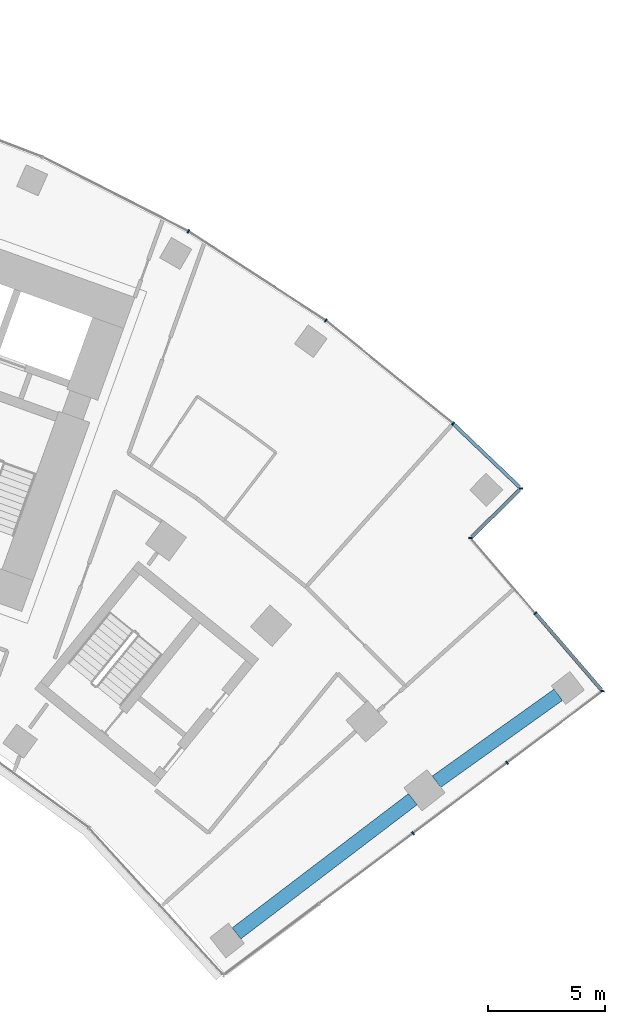
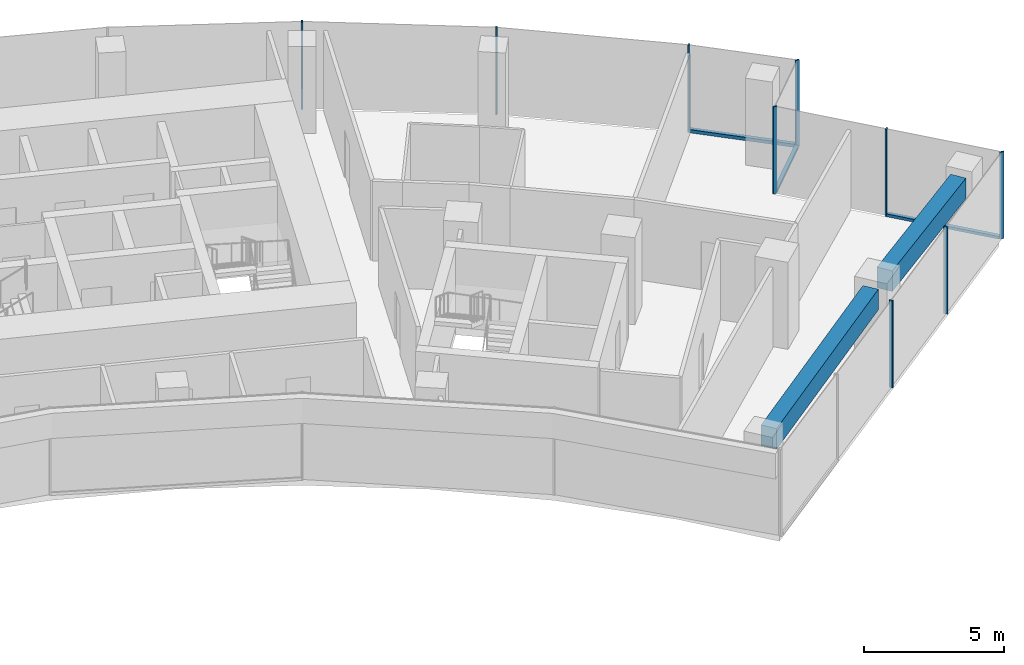
# One storey, part 9 of 21: 12 members, 2 beams, 4 elements without a shape of their own.
"""IFC4 building model written with IfcOpenShell, lengths in metres."""

from ifc_helpers import new_model, si_unit, direction, frame, origin, origin_2d, place, context, subcontext, project, spatial, rectangle, extrude, material, layer, layer_set, material_profile, profile_set, type_object, element, aggregate, save


model = new_model("IFC4")

# Units and contexts
model_context = context("Model", 3, precision=1e-05, world=origin(), true_north=direction((0.0, 1.0)))
body_context = subcontext(model_context, "Body", "Model", "MODEL_VIEW")
ifc_project = project(units=[si_unit("LENGTHUNIT", "METRE"), si_unit("AREAUNIT", "SQUARE_METRE"), si_unit("VOLUMEUNIT", "CUBIC_METRE"), si_unit("PLANEANGLEUNIT", "RADIAN"), si_unit("MASSUNIT", "GRAM", prefix="KILO")], contexts=[model_context])

# Site, building, storey
site_placement = place(None, origin())
site = spatial("IfcSite", under=ifc_project, at=site_placement, CompositionType="ELEMENT")
building_placement = place(site_placement, origin())
building = spatial("IfcBuilding", under=site, at=building_placement, Name="Stone Belt Terrace Tower", CompositionType="ELEMENT")
storey_placement = place(building_placement, frame((0.0, 0.0, 151.60009765625)))
storey = spatial("IfcBuildingStorey", under=building, at=storey_placement, Name="L36", CompositionType="ELEMENT", Elevation=151.60009765625)

# Curtain wall, members
ifc_material_1 = material(Name="Aluminium 6063-T6 anodised frame", Category="aluminium")
ifc_layer_1 = layer(ifc_material_1, 0.14990234375)
ifc_layer_set_1 = layer_set([ifc_layer_1], Name="CW-A unitised convex-face curtain wall")
curtain_wall_type_1 = type_object("IfcCurtainWallType", Name="CW-A unitised convex-face curtain wall", PredefinedType="NOTDEFINED", material=ifc_layer_set_1)
curtain_wall_1_placement = place(storey_placement, origin())
curtain_wall_1 = element("IfcCurtainWall", 1, at=curtain_wall_1_placement, inside=storey, type_object=curtain_wall_type_1, Name="CW-A convex face L36", PredefinedType="NOTDEFINED")
ifc_material_profile_1 = material_profile(ifc_material_1, rectangle(XDim=0.14990234375, YDim=0.06005859375, at=origin_2d()), Name="Aluminium 6063-T6 60x150")
ifc_profile_set_1 = profile_set([ifc_material_profile_1], Name="Aluminium 6063-T6 anodised frame")
member_type_1 = type_object("IfcMemberType", Name="CW-A mullion 60 x 150", PredefinedType="MULLION", material=ifc_profile_set_1)
member_1_placement = place(storey_placement, frame((47.4365234375, 46.715087890625, 0.0), z_axis=(0.0, 0.0, 1.0), x_axis=(-0.999966480105, -0.008187714406, 0.0)))
member_1 = element("IfcMember", 2, at=member_1_placement, type_object=member_type_1, Name="CW-A mullion 1", PredefinedType="MULLION", context=body_context, shape_type="SweptSolid", body=[
    extrude(rectangle(XDim=0.14990234375, YDim=0.06005859375, at=origin_2d()), origin(), (0.0, 0.0, 1.0), 3.7998046875),
])
member_2_placement = place(storey_placement, frame((44.546875, 49.4755859375, 0.0), z_axis=(0.0, 0.0, 1.0), x_axis=(-0.660573481499, -0.75076139721, 0.0)))
member_2 = element("IfcMember", 3, at=member_2_placement, type_object=member_type_1, Name="CW-A mullion 2", PredefinedType="MULLION", context=body_context, shape_type="SweptSolid", body=[
    extrude(rectangle(XDim=0.14990234375, YDim=0.06005859375, at=origin_2d()), origin(), (0.0, 0.0, 1.0), 3.7998046875),
])
member_3_placement = place(storey_placement, frame((39.1318359375, 53.8603515625, 0.0), z_axis=(0.0, 0.0, 1.0), x_axis=(-0.587785252292, -0.809016994375, 0.0)))
member_3 = element("IfcMember", 4, at=member_3_placement, type_object=member_type_1, Name="CW-A mullion 3", PredefinedType="MULLION", context=body_context, shape_type="SweptSolid", body=[
    extrude(rectangle(XDim=0.14990234375, YDim=0.06005859375, at=origin_2d()), origin(), (0.0, 0.0, 1.0), 3.7998046875),
])
member_4_placement = place(storey_placement, frame((33.28759765625, 57.65576171875, 0.0), z_axis=(0.0, 0.0, 1.0), x_axis=(-0.5, -0.866025403784, 0.0)))
member_4 = element("IfcMember", 5, at=member_4_placement, type_object=member_type_1, Name="CW-A mullion 4", PredefinedType="MULLION", context=body_context, shape_type="SweptSolid", body=[
    extrude(rectangle(XDim=0.14990234375, YDim=0.06005859375, at=origin_2d()), origin(), (0.0, 0.0, 1.0), 3.7998046875),
])
ifc_material_profile_2 = material_profile(ifc_material_1, rectangle(XDim=0.14990234375, YDim=0.139892578125, at=origin_2d()), Name="Aluminium 6063-T6 150x140")
ifc_profile_set_2 = profile_set([ifc_material_profile_2], Name="Aluminium 6063-T6 anodised frame")
member_type_2 = type_object("IfcMemberType", Name="CW-A transom 140 x 150", PredefinedType="USERDEFINED", material=ifc_profile_set_2)
member_5_placement = place(storey_placement, frame((47.382568359375, 46.766845703125, 0.06982421875), z_axis=(-0.723150258233, 0.690690744124, 0.0), x_axis=(-0.690690744124, -0.723150258233, 0.0)))
member_5 = element("IfcMember", 6, at=member_5_placement, type_object=member_type_2, Name="CW-A transom 1.1", ObjectType="TRANSOM", PredefinedType="USERDEFINED", context=body_context, shape_type="SweptSolid", body=[
    extrude(rectangle(XDim=0.14990234375, YDim=0.139892578125, at=origin_2d()), origin(), (0.0, 0.0, 1.0), 3.888671875),
])
aggregate(curtain_wall_1, [member_1, member_2, member_3, member_4, member_5])

ifc_layer_2 = layer(ifc_material_1, 0.14990234375)
ifc_layer_set_2 = layer_set([ifc_layer_2], Name="CW-C stick curtain wall, horn ends and notches")
curtain_wall_type_2 = type_object("IfcCurtainWallType", Name="CW-C stick curtain wall, horn ends and notches", PredefinedType="NOTDEFINED", material=ifc_layer_set_2)
curtain_wall_2_placement = place(storey_placement, origin())
curtain_wall_2 = element("IfcCurtainWall", 7, at=curtain_wall_2_placement, inside=storey, type_object=curtain_wall_type_2, Name="CW-C end face L36", PredefinedType="NOTDEFINED")
ifc_material_profile_3 = material_profile(ifc_material_1, rectangle(XDim=0.14990234375, YDim=0.06005859375, at=origin_2d()), Name="Aluminium 6063-T6 60x150")
ifc_profile_set_3 = profile_set([ifc_material_profile_3], Name="Aluminium 6063-T6 anodised frame")
member_type_3 = type_object("IfcMemberType", Name="CW-C mullion 60 x 150", PredefinedType="MULLION", material=ifc_profile_set_3)
member_6_placement = place(storey_placement, frame((42.84423828125, 32.041015625, 0.0), z_axis=(0.0, 0.0, 1.0), x_axis=(-0.600017992436, 0.799986505357, 0.0)))
member_6 = element("IfcMember", 8, at=member_6_placement, type_object=member_type_3, Name="CW-C mullion 3", PredefinedType="MULLION", context=body_context, shape_type="SweptSolid", body=[
    extrude(rectangle(XDim=0.14990234375, YDim=0.06005859375, at=origin_2d()), origin(), (0.0, 0.0, 1.0), 3.7998046875),
])
member_7_placement = place(storey_placement, frame((46.84423828125, 35.041015625, 0.0), z_axis=(0.0, 0.0, 1.0), x_axis=(-0.600017992436, 0.799986505357, 0.0)))
member_7 = element("IfcMember", 9, at=member_7_placement, type_object=member_type_3, Name="CW-C mullion 4", PredefinedType="MULLION", context=body_context, shape_type="SweptSolid", body=[
    extrude(rectangle(XDim=0.14990234375, YDim=0.06005859375, at=origin_2d()), origin(), (0.0, 0.0, 1.0), 3.7998046875),
])
aggregate(curtain_wall_2, [member_6, member_7])

curtain_wall_3_placement = place(storey_placement, origin())
curtain_wall_3 = element("IfcCurtainWall", 10, at=curtain_wall_3_placement, inside=storey, type_object=curtain_wall_type_2, Name="CW-C notch face L36", PredefinedType="NOTDEFINED")
member_8_placement = place(storey_placement, frame((50.908447265625, 38.08935546875, 0.0), z_axis=(0.0, 0.0, 1.0), x_axis=(-0.994169356535, 0.107829914807, 0.0)))
member_8 = element("IfcMember", 11, at=member_8_placement, type_object=member_type_3, Name="CW-C mullion 1", PredefinedType="MULLION", context=body_context, shape_type="SweptSolid", body=[
    extrude(rectangle(XDim=0.14990234375, YDim=0.06005859375, at=origin_2d()), origin(), (0.0, 0.0, 1.0), 3.7998046875),
])
member_9_placement = place(storey_placement, frame((48.05322265625, 41.40283203125, 0.0), z_axis=(0.0, 0.0, 1.0), x_axis=(-0.757583847343, -0.652737860281, 0.0)))
member_9 = element("IfcMember", 12, at=member_9_placement, type_object=member_type_3, Name="CW-C mullion 2", PredefinedType="MULLION", context=body_context, shape_type="SweptSolid", body=[
    extrude(rectangle(XDim=0.14990234375, YDim=0.06005859375, at=origin_2d()), origin(), (0.0, 0.0, 1.0), 3.7998046875),
])

# Curtain wall, member
curtain_wall_4_placement = place(storey_placement, origin())
curtain_wall_4 = element("IfcCurtainWall", 13, at=curtain_wall_4_placement, inside=storey, type_object=curtain_wall_type_2, Name="CW-C notch face L36", PredefinedType="NOTDEFINED")
member_10_placement = place(storey_placement, frame((45.29638671875, 44.602783203125, 0.0), z_axis=(0.0, 0.0, 1.0), x_axis=(-0.999185209744, 0.040359839301, 0.0)))
member_10 = element("IfcMember", 14, at=member_10_placement, type_object=member_type_3, Name="CW-C mullion 1", PredefinedType="MULLION", context=body_context, shape_type="SweptSolid", body=[
    extrude(rectangle(XDim=0.14990234375, YDim=0.06005859375, at=origin_2d()), origin(), (0.0, 0.0, 1.0), 3.7998046875),
])

# Member
ifc_material_profile_4 = material_profile(ifc_material_1, rectangle(XDim=0.14990234375, YDim=0.1201171875, at=origin_2d()), Name="Aluminium 6063-T6 150x120")
ifc_profile_set_4 = profile_set([ifc_material_profile_4], Name="Aluminium 6063-T6 anodised frame")
member_type_4 = type_object("IfcMemberType", Name="CW-C transom 120 x 150", PredefinedType="USERDEFINED", material=ifc_profile_set_4)
member_11_placement = place(storey_placement, frame((50.859130859375, 38.146240234375, 0.059814453125), z_axis=(-0.652743872196, 0.757578667407, 0.0), x_axis=(-0.757578667407, -0.652743872196, 0.0)))
member_11 = element("IfcMember", 15, at=member_11_placement, type_object=member_type_4, Name="CW-C transom 1.1", ObjectType="TRANSOM", PredefinedType="USERDEFINED", context=body_context, shape_type="SweptSolid", body=[
    extrude(rectangle(XDim=0.14990234375, YDim=0.1201171875, at=origin_2d()), origin(), (0.0, 0.0, 1.0), 4.268798828125),
])

aggregate(curtain_wall_3, [member_8, member_9, member_11])

member_12_placement = place(storey_placement, frame((45.348388671875, 44.654052734375, 0.059814453125), z_axis=(0.711744791626, 0.702438147877, 0.0), x_axis=(-0.702438147877, 0.711744791626, 0.0)))
member_12 = element("IfcMember", 16, at=member_12_placement, type_object=member_type_4, Name="CW-C transom 1.1", ObjectType="TRANSOM", PredefinedType="USERDEFINED", context=body_context, shape_type="SweptSolid", body=[
    extrude(rectangle(XDim=0.14990234375, YDim=0.1201171875, at=origin_2d()), origin(), (0.0, 0.0, 1.0), 2.859375),
])

aggregate(curtain_wall_4, [member_10, member_12])

# Beams
ifc_material_2 = material(Name="Concrete B60", Category="concrete")
ifc_material_profile_5 = material_profile(ifc_material_2, rectangle(XDim=0.60009765625, YDim=0.89990234375, at=origin_2d()), Name="RC 600x900")
ifc_profile_set_5 = profile_set([ifc_material_profile_5], Name="Concrete B60")
beam_type = type_object("IfcBeamType", Name="Edge beam RC 600x900 B60", PredefinedType="SPANDREL", material=ifc_profile_set_5)
beam_1_placement = place(storey_placement, frame((35.33203125, 27.779541015625, 3.02978515625), z_axis=(0.795702028976, 0.605688270552, 0.0), x_axis=(-0.605688270552, 0.795702028976, 0.0)))
element("IfcBeam", 17, at=beam_1_placement, inside=storey, type_object=beam_type, Name="Edge beam L36 B P to Q", PredefinedType="SPANDREL", context=body_context, shape_type="SweptSolid", body=[
    extrude(rectangle(XDim=0.60009765625, YDim=0.89990234375, at=origin_2d()), origin(), (0.0, 0.0, 1.0), 9.430908203125),
])
beam_2_placement = place(storey_placement, frame((43.842529296875, 34.23388671875, 3.02978515625), z_axis=(0.813774908454, 0.581180177201, 0.0), x_axis=(-0.581180177201, 0.813774908454, 0.0)))
element("IfcBeam", 18, at=beam_2_placement, inside=storey, type_object=beam_type, Name="Edge beam L36 B Q to R", PredefinedType="SPANDREL", context=body_context, shape_type="SweptSolid", body=[
    extrude(rectangle(XDim=0.60009765625, YDim=0.89990234375, at=origin_2d()), origin(), (0.0, 0.0, 1.0), 6.369140625),
])

save(model, "model.ifc")
